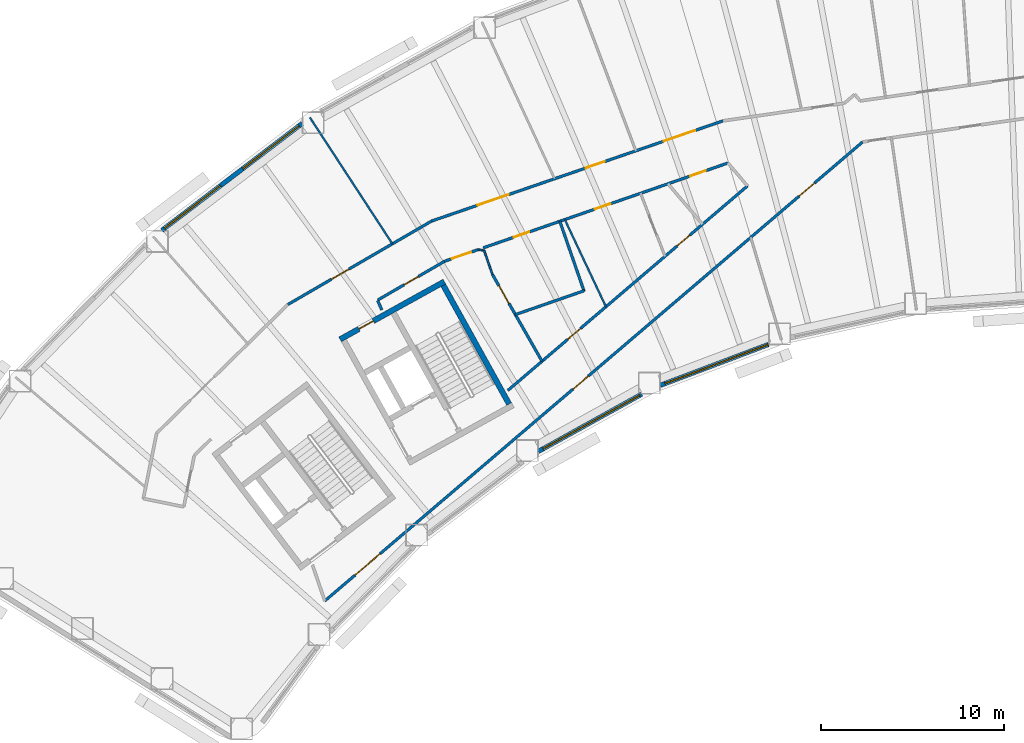
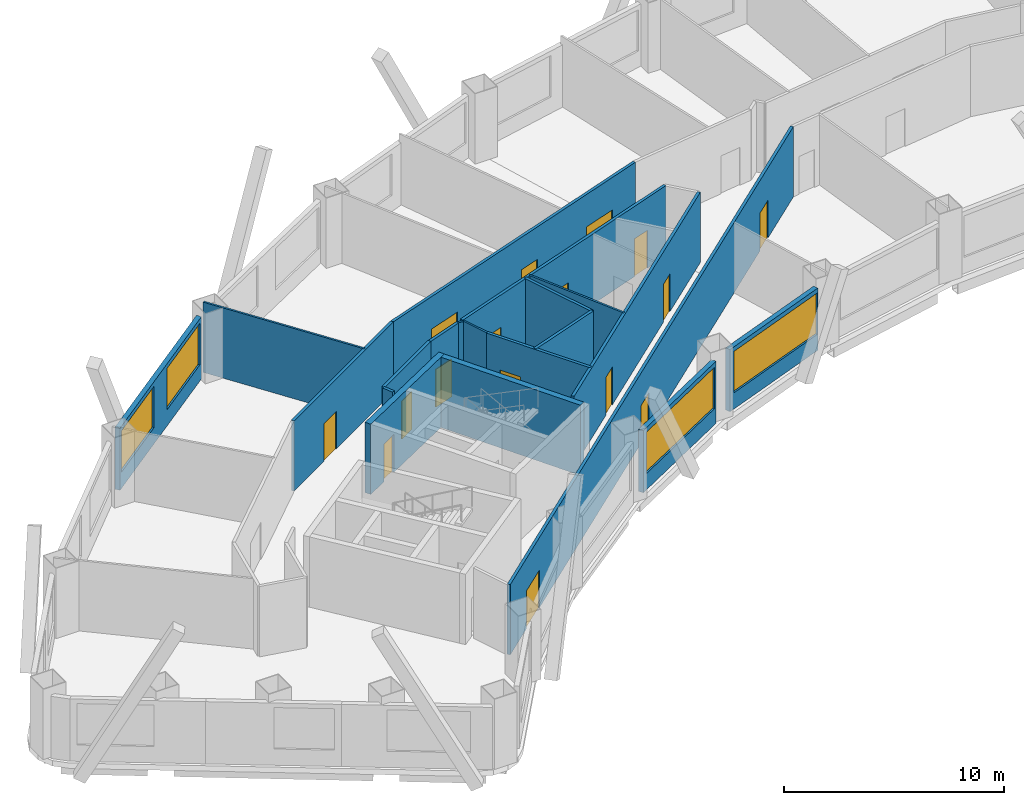
# One storey, part 4 of 12: 20 walls, 16 doors, 4 windows, 20 openings.
"""IFC4 building model written with IfcOpenShell, lengths in metres."""

from ifc_helpers import new_model, si_unit, direction, frame, frame_2d, origin, place, context, subcontext, project, spatial, rectangle, extrude, material, layer, layer_set, type_object, element, fill, save


model = new_model("IFC4")

# Units and contexts
model_context = context("Model", 3, precision=1e-05, world=origin(), true_north=direction((0.0, 1.0)))
body_context = subcontext(model_context, "Body", "Model", "MODEL_VIEW")
ifc_project = project(units=[si_unit("LENGTHUNIT", "METRE"), si_unit("AREAUNIT", "SQUARE_METRE"), si_unit("VOLUMEUNIT", "CUBIC_METRE"), si_unit("PLANEANGLEUNIT", "RADIAN"), si_unit("MASSUNIT", "GRAM", prefix="KILO")], contexts=[model_context])

# Site, building, storey
site_placement = place(None, origin())
site = spatial("IfcSite", under=ifc_project, at=site_placement, CompositionType="ELEMENT")
building_placement = place(site_placement, origin())
building = spatial("IfcBuilding", under=site, at=building_placement, Name="Tuul Gate Civic Tower", CompositionType="ELEMENT")
storey_placement = place(building_placement, frame((0.0, 0.0, 82.199951171875)))
storey = spatial("IfcBuildingStorey", under=building, at=storey_placement, Name="Level 18", CompositionType="ELEMENT", Elevation=82.199951171875)

# Wall, opening, door
ifc_material_1 = material(Name="Concrete C50/60", Category="concrete")
ifc_layer_1 = layer(ifc_material_1, 0.300048828125)
ifc_layer_set_1 = layer_set([ifc_layer_1], Name="Concrete C50/60")
wall_type_1 = type_object("IfcWallType", Name="Core wall C50/60", PredefinedType="SHEAR", material=ifc_layer_set_1)
wall_1_placement = place(storey_placement, frame((-28.4443359375, -1.98095703125, 0.0), z_axis=(0.0, 0.0, 1.0), x_axis=(-0.874629909008, -0.484791215132, 0.0)))
wall_1 = element("IfcWall", 1, at=wall_1_placement, inside=storey, type_object=wall_type_1, Name="Core wall", PredefinedType="SHEAR", context=body_context, shape_type="SweptSolid", body=[
    extrude(rectangle(XDim=6.5, YDim=0.300048828125, at=frame_2d((3.25, 0.0))), origin(), (0.0, 0.0, 1.0), 3.900146484375),
])
opening_1_placement = place(wall_1_placement, frame((4.425048828125, 0.0, 0.0)))
opening_1 = element("IfcOpeningElement", 2, at=opening_1_placement, cuts=wall_1, Name="Opening E-D37", PredefinedType="OPENING", context=body_context, shape_type="SweptSolid", body=[
    extrude(rectangle(XDim=0.89990234375, YDim=2.10009765625, at=frame_2d((0.449951171875, 1.050048828125))), frame((0.0, 0.16015625, 0.0), z_axis=(0.0, -1.0, 0.0), x_axis=(1.0, 0.0, 0.0)), (0.0, 0.0, 1.0), 0.320068359375),
])
ifc_material_2 = material(Name="Timber door leaf", Category="wood")
door_type_1 = type_object("IfcDoorType", Name="Door D09", OperationType="NOTDEFINED", PredefinedType="DOOR", material=ifc_material_2)
door_1_placement = place(opening_1_placement, origin())
door_1 = element("IfcDoor", 3, at=door_1_placement, inside=storey, type_object=door_type_1, Name="Door E-D37", OperationType="SINGLE_SWING_LEFT", OverallHeight=2.10009765625, OverallWidth=0.89990234375, PredefinedType="DOOR", context=body_context, shape_type="SweptSolid", body=[
    extrude(rectangle(XDim=0.89990234375, YDim=2.10009765625, at=frame_2d((0.449951171875, 1.050048828125))), frame((0.0, 0.02490234375, 0.0), z_axis=(0.0, -1.0, 0.0), x_axis=(1.0, 0.0, 0.0)), (0.0, 0.0, 1.0), 0.050048828125),
])
fill(opening_1, door_1)

# Wall
wall_2_placement = place(storey_placement, frame((-24.91552734375, -8.6572265625, 0.0), z_axis=(0.0, 0.0, 1.0), x_axis=(-0.484777133038, 0.874637714304, 0.0)))
element("IfcWall", 4, at=wall_2_placement, inside=storey, type_object=wall_type_1, Name="Core wall", PredefinedType="SHEAR", context=body_context, shape_type="SweptSolid", body=[
    extrude(rectangle(XDim=7.400146484375, YDim=0.300048828125, at=frame_2d((3.7001953125, 0.0))), origin(), (0.0, 0.0, 1.0), 3.900146484375),
])

# Wall, openings, doors
ifc_material_3 = material(Name="Gypsum board partition")
ifc_layer_2 = layer(ifc_material_3, 0.14990234375)
ifc_layer_set_2 = layer_set([ifc_layer_2], Name="Gypsum board partition")
wall_type_2 = type_object("IfcWallType", Name="Corridor wall P150", PredefinedType="PARTITIONING", material=ifc_layer_set_2)
wall_3_placement = place(storey_placement, frame((-24.98388671875, -7.9140625, 0.0), z_axis=(0.0, 0.0, 1.0), x_axis=(0.76064807298, 0.649164469971, 0.0)))
wall_3 = element("IfcWall", 5, at=wall_3_placement, inside=storey, type_object=wall_type_2, Name="p032", PredefinedType="PARTITIONING", context=body_context, shape_type="SweptSolid", body=[
    extrude(rectangle(XDim=17.1689453125, YDim=0.14990234375, at=frame_2d((8.58447265625, 0.0))), origin(), (0.0, 0.0, 1.0), 3.900146484375),
])
opening_2_placement = place(wall_3_placement, frame((12.131591796875, 0.0, 0.0)))
opening_2 = element("IfcOpeningElement", 6, at=opening_2_placement, cuts=wall_3, Name="Opening E-D27", PredefinedType="OPENING", context=body_context, shape_type="SweptSolid", body=[
    extrude(rectangle(XDim=0.89990234375, YDim=2.10009765625, at=frame_2d((0.449951171875, 1.050048828125))), frame((0.0, 0.0849609375, 0.0), z_axis=(0.0, -1.0, 0.0), x_axis=(1.0, 0.0, 0.0)), (0.0, 0.0, 1.0), 0.169921875),
])
opening_3_placement = place(wall_3_placement, frame((4.291748046875, 0.0, 0.0)))
opening_3 = element("IfcOpeningElement", 7, at=opening_3_placement, cuts=wall_3, Name="Opening E-D28", PredefinedType="OPENING", context=body_context, shape_type="SweptSolid", body=[
    extrude(rectangle(XDim=0.89990234375, YDim=2.10009765625, at=frame_2d((0.449951171875, 1.050048828125))), frame((0.0, 0.0849609375, 0.0), z_axis=(0.0, -1.0, 0.0), x_axis=(1.0, 0.0, 0.0)), (0.0, 0.0, 1.0), 0.169921875),
])
door_2_placement = place(opening_2_placement, origin())
door_2 = element("IfcDoor", 8, at=door_2_placement, inside=storey, type_object=door_type_1, Name="Door E-D27", OperationType="SINGLE_SWING_LEFT", OverallHeight=2.10009765625, OverallWidth=0.89990234375, PredefinedType="DOOR", context=body_context, shape_type="SweptSolid", body=[
    extrude(rectangle(XDim=0.89990234375, YDim=2.10009765625, at=frame_2d((0.449951171875, 1.050048828125))), frame((0.0, 0.02490234375, 0.0), z_axis=(0.0, -1.0, 0.0), x_axis=(1.0, 0.0, 0.0)), (0.0, 0.0, 1.0), 0.050048828125),
])
fill(opening_2, door_2)
door_3_placement = place(opening_3_placement, origin())
door_3 = element("IfcDoor", 9, at=door_3_placement, inside=storey, type_object=door_type_1, Name="Door E-D28", OperationType="SINGLE_SWING_RIGHT", OverallHeight=2.10009765625, OverallWidth=0.89990234375, PredefinedType="DOOR", context=body_context, shape_type="SweptSolid", body=[
    extrude(rectangle(XDim=0.89990234375, YDim=2.10009765625, at=frame_2d((0.449951171875, 1.050048828125))), frame((0.0, 0.02490234375, 0.0), z_axis=(0.0, -1.0, 0.0), x_axis=(1.0, 0.0, 0.0)), (0.0, 0.0, 1.0), 0.050048828125),
])
fill(opening_3, door_3)

wall_4_placement = place(storey_placement, frame((-29.138427734375, 1.318115234375, 0.0), z_axis=(0.0, 0.0, 1.0), x_axis=(0.945651374617, 0.325182222276, 0.0)))
wall_4 = element("IfcWall", 10, at=wall_4_placement, inside=storey, type_object=wall_type_2, Name="p035", PredefinedType="PARTITIONING", context=body_context, shape_type="SweptSolid", body=[
    extrude(rectangle(XDim=16.7822265625, YDim=0.14990234375, at=frame_2d((8.39111328125, 0.0))), origin(), (0.0, 0.0, 1.0), 3.900146484375),
])
opening_4_placement = place(wall_4_placement, frame((13.3759765625, 0.0, 0.0)))
opening_4 = element("IfcOpeningElement", 11, at=opening_4_placement, cuts=wall_4, Name="Opening E-D10", PredefinedType="OPENING", context=body_context, shape_type="SweptSolid", body=[
    extrude(rectangle(XDim=1.800048828125, YDim=2.10009765625, at=frame_2d((0.89990234375, 1.050048828125))), frame((0.0, 0.0849609375, 0.0), z_axis=(0.0, -1.0, 0.0), x_axis=(1.0, 0.0, 0.0)), (0.0, 0.0, 1.0), 0.169921875),
])
opening_5_placement = place(wall_4_placement, frame((8.877197265625, 0.0, 0.0)))
opening_5 = element("IfcOpeningElement", 12, at=opening_5_placement, cuts=wall_4, Name="Opening E-D11", PredefinedType="OPENING", context=body_context, shape_type="SweptSolid", body=[
    extrude(rectangle(XDim=1.10009765625, YDim=2.10009765625, at=frame_2d((0.550048828125, 1.050048828125))), frame((0.0, 0.0849609375, 0.0), z_axis=(0.0, -1.0, 0.0), x_axis=(1.0, 0.0, 0.0)), (0.0, 0.0, 1.0), 0.169921875),
])
opening_6_placement = place(wall_4_placement, frame((2.642333984375, 0.0, 0.0)))
opening_6 = element("IfcOpeningElement", 13, at=opening_6_placement, cuts=wall_4, Name="Opening E-D12", PredefinedType="OPENING", context=body_context, shape_type="SweptSolid", body=[
    extrude(rectangle(XDim=1.800048828125, YDim=2.10009765625, at=frame_2d((0.89990234375, 1.050048828125))), frame((0.0, 0.0849609375, 0.0), z_axis=(0.0, -1.0, 0.0), x_axis=(1.0, 0.0, 0.0)), (0.0, 0.0, 1.0), 0.169921875),
])
ifc_material_4 = material(Name="Timber door leaf", Category="wood")
door_type_2 = type_object("IfcDoorType", Name="Door D11", OperationType="NOTDEFINED", PredefinedType="DOOR", material=ifc_material_4)
door_4_placement = place(opening_5_placement, origin())
door_4 = element("IfcDoor", 14, at=door_4_placement, inside=storey, type_object=door_type_2, Name="Door E-D11", OperationType="SINGLE_SWING_RIGHT", OverallHeight=2.10009765625, OverallWidth=1.10009765625, PredefinedType="DOOR", context=body_context, shape_type="SweptSolid", body=[
    extrude(rectangle(XDim=1.10009765625, YDim=2.10009765625, at=frame_2d((0.550048828125, 1.050048828125))), frame((0.0, 0.02490234375, 0.0), z_axis=(0.0, -1.0, 0.0), x_axis=(1.0, 0.0, 0.0)), (0.0, 0.0, 1.0), 0.050048828125),
])
fill(opening_5, door_4)
ifc_material_5 = material(Name="Timber door leaf, double", Category="wood")
door_type_3 = type_object("IfcDoorType", Name="Door D18", OperationType="DOUBLE_DOOR_SINGLE_SWING", PredefinedType="DOOR", material=ifc_material_5)
door_5_placement = place(opening_4_placement, origin())
door_5 = element("IfcDoor", 15, at=door_5_placement, inside=storey, type_object=door_type_3, Name="Door E-D10", OperationType="DOUBLE_DOOR_SINGLE_SWING", OverallHeight=2.10009765625, OverallWidth=1.800048828125, PredefinedType="DOOR", context=body_context, shape_type="SweptSolid", body=[
    extrude(rectangle(XDim=1.800048828125, YDim=2.10009765625, at=frame_2d((0.89990234375, 1.050048828125))), frame((0.0, 0.02490234375, 0.0), z_axis=(0.0, -1.0, 0.0), x_axis=(1.0, 0.0, 0.0)), (0.0, 0.0, 1.0), 0.050048828125),
])
fill(opening_4, door_5)
door_6_placement = place(opening_6_placement, origin())
door_6 = element("IfcDoor", 16, at=door_6_placement, inside=storey, type_object=door_type_3, Name="Door E-D12", OperationType="DOUBLE_DOOR_SINGLE_SWING", OverallHeight=2.10009765625, OverallWidth=1.800048828125, PredefinedType="DOOR", context=body_context, shape_type="SweptSolid", body=[
    extrude(rectangle(XDim=1.800048828125, YDim=2.10009765625, at=frame_2d((0.89990234375, 1.050048828125))), frame((0.0, 0.02490234375, 0.0), z_axis=(0.0, -1.0, 0.0), x_axis=(1.0, 0.0, 0.0)), (0.0, 0.0, 1.0), 0.050048828125),
])
fill(opening_6, door_6)

# Wall, opening, door
wall_5_placement = place(storey_placement, frame((-36.976806640625, -3.2333984375, 0.0), z_axis=(0.0, 0.0, 1.0), x_axis=(0.864782531792, 0.502146564967, 0.0)))
wall_5 = element("IfcWall", 17, at=wall_5_placement, inside=storey, type_object=wall_type_2, Name="p038", PredefinedType="PARTITIONING", context=body_context, shape_type="SweptSolid", body=[
    extrude(rectangle(XDim=9.063232421875, YDim=0.14990234375, at=frame_2d((4.53173828125, 0.0))), origin(), (0.0, 0.0, 1.0), 3.900146484375),
])
opening_7_placement = place(wall_5_placement, frame((2.744384765625, 0.0, 0.0)))
opening_7 = element("IfcOpeningElement", 18, at=opening_7_placement, cuts=wall_5, Name="Opening E-D13", PredefinedType="OPENING", context=body_context, shape_type="SweptSolid", body=[
    extrude(rectangle(XDim=1.10009765625, YDim=2.10009765625, at=frame_2d((0.550048828125, 1.050048828125))), frame((0.0, 0.0849609375, 0.0), z_axis=(0.0, -1.0, 0.0), x_axis=(1.0, 0.0, 0.0)), (0.0, 0.0, 1.0), 0.169921875),
])
door_7_placement = place(opening_7_placement, origin())
door_7 = element("IfcDoor", 19, at=door_7_placement, inside=storey, type_object=door_type_2, Name="Door E-D13", OperationType="SINGLE_SWING_RIGHT", OverallHeight=2.10009765625, OverallWidth=1.10009765625, PredefinedType="DOOR", context=body_context, shape_type="SweptSolid", body=[
    extrude(rectangle(XDim=1.10009765625, YDim=2.10009765625, at=frame_2d((0.550048828125, 1.050048828125))), frame((0.0, 0.02490234375, 0.0), z_axis=(0.0, -1.0, 0.0), x_axis=(1.0, 0.0, 0.0)), (0.0, 0.0, 1.0), 0.050048828125),
])
fill(opening_7, door_7)

# Wall, openings, doors
wall_6_placement = place(storey_placement, frame((-34.96142578125, -19.38720703125, 0.0), z_axis=(0.0, 0.0, 1.0), x_axis=(0.760648138959, 0.649164392661, 0.0)))
wall_6 = element("IfcWall", 20, at=wall_6_placement, inside=storey, type_object=wall_type_2, Name="p053", PredefinedType="PARTITIONING", context=body_context, shape_type="SweptSolid", body=[
    extrude(rectangle(XDim=38.529541015625, YDim=0.14990234375, at=frame_2d((19.2646484375, 0.0))), origin(), (0.0, 0.0, 1.0), 3.900146484375),
])
opening_8_placement = place(wall_6_placement, frame((33.977294921875, 0.0, 0.0)))
opening_8 = element("IfcOpeningElement", 21, at=opening_8_placement, cuts=wall_6, Name="Opening E-D17", PredefinedType="OPENING", context=body_context, shape_type="SweptSolid", body=[
    extrude(rectangle(XDim=1.10009765625, YDim=2.10009765625, at=frame_2d((0.550048828125, 1.050048828125))), frame((0.0, 0.0849609375, 0.0), z_axis=(0.0, -1.0, 0.0), x_axis=(1.0, 0.0, 0.0)), (0.0, 0.0, 1.0), 0.169921875),
])
opening_9_placement = place(wall_6_placement, frame((17.776611328125, 0.0, 0.0)))
opening_9 = element("IfcOpeningElement", 22, at=opening_9_placement, cuts=wall_6, Name="Opening E-D18", PredefinedType="OPENING", context=body_context, shape_type="SweptSolid", body=[
    extrude(rectangle(XDim=1.10009765625, YDim=2.10009765625, at=frame_2d((0.550048828125, 1.050048828125))), frame((0.0, 0.0849609375, 0.0), z_axis=(0.0, -1.0, 0.0), x_axis=(1.0, 0.0, 0.0)), (0.0, 0.0, 1.0), 0.169921875),
])
opening_10_placement = place(wall_6_placement, frame((2.1640625, 0.0, 0.0)))
opening_10 = element("IfcOpeningElement", 23, at=opening_10_placement, cuts=wall_6, Name="Opening E-D19", PredefinedType="OPENING", context=body_context, shape_type="SweptSolid", body=[
    extrude(rectangle(XDim=1.800048828125, YDim=2.10009765625, at=frame_2d((0.89990234375, 1.050048828125))), frame((0.0, 0.0849609375, 0.0), z_axis=(0.0, -1.0, 0.0), x_axis=(1.0, 0.0, 0.0)), (0.0, 0.0, 1.0), 0.169921875),
])
door_8_placement = place(opening_8_placement, frame((1.10009765625, 0.0, 0.0), z_axis=(0.0, 0.0, 1.0), x_axis=(-1.0, 0.0, 0.0)))
door_8 = element("IfcDoor", 24, at=door_8_placement, inside=storey, type_object=door_type_2, Name="Door E-D17", OperationType="SINGLE_SWING_LEFT", OverallHeight=2.10009765625, OverallWidth=1.10009765625, PredefinedType="DOOR", context=body_context, shape_type="SweptSolid", body=[
    extrude(rectangle(XDim=1.10009765625, YDim=2.10009765625, at=frame_2d((0.550048828125, 1.050048828125))), frame((0.0, 0.02490234375, 0.0), z_axis=(0.0, -1.0, 0.0), x_axis=(1.0, 0.0, 0.0)), (0.0, 0.0, 1.0), 0.050048828125),
])
fill(opening_8, door_8)
door_9_placement = place(opening_9_placement, frame((1.10009765625, 0.0, 0.0), z_axis=(0.0, 0.0, 1.0), x_axis=(-1.0, 0.0, 0.0)))
door_9 = element("IfcDoor", 25, at=door_9_placement, inside=storey, type_object=door_type_2, Name="Door E-D18", OperationType="SINGLE_SWING_LEFT", OverallHeight=2.10009765625, OverallWidth=1.10009765625, PredefinedType="DOOR", context=body_context, shape_type="SweptSolid", body=[
    extrude(rectangle(XDim=1.10009765625, YDim=2.10009765625, at=frame_2d((0.550048828125, 1.050048828125))), frame((0.0, 0.02490234375, 0.0), z_axis=(0.0, -1.0, 0.0), x_axis=(1.0, 0.0, 0.0)), (0.0, 0.0, 1.0), 0.050048828125),
])
fill(opening_9, door_9)
door_10_placement = place(opening_10_placement, frame((1.800048828125, 0.0, 0.0), z_axis=(0.0, 0.0, 1.0), x_axis=(-1.0, 0.0, 0.0)))
door_10 = element("IfcDoor", 26, at=door_10_placement, inside=storey, type_object=door_type_3, Name="Door E-D19", OperationType="DOUBLE_DOOR_SINGLE_SWING", OverallHeight=2.10009765625, OverallWidth=1.800048828125, PredefinedType="DOOR", context=body_context, shape_type="SweptSolid", body=[
    extrude(rectangle(XDim=1.800048828125, YDim=2.10009765625, at=frame_2d((0.900146484375, 1.050048828125))), frame((0.0, 0.02490234375, 0.0), z_axis=(0.0, -1.0, 0.0), x_axis=(1.0, 0.0, 0.0)), (0.0, 0.0, 1.0), 0.050048828125),
])
fill(opening_10, door_10)

# Wall, opening, door
wall_7_placement = place(storey_placement, frame((-28.43408203125, -0.87451171875, 0.0), z_axis=(0.0, 0.0, 1.0), x_axis=(0.944764559764, 0.327749792698, 0.0)))
wall_7 = element("IfcWall", 27, at=wall_7_placement, inside=storey, type_object=wall_type_2, Name="p069", PredefinedType="PARTITIONING", context=body_context, shape_type="SweptSolid", body=[
    extrude(rectangle(XDim=1.941162109375, YDim=0.14990234375, at=frame_2d((0.970703125, 0.0))), origin(), (0.0, 0.0, 1.0), 3.900146484375),
])
opening_11_placement = place(wall_7_placement, frame((0.420654296875, 0.0, 0.0)))
opening_11 = element("IfcOpeningElement", 28, at=opening_11_placement, cuts=wall_7, Name="Opening E-D35", PredefinedType="OPENING", context=body_context, shape_type="SweptSolid", body=[
    extrude(rectangle(XDim=1.10009765625, YDim=2.10009765625, at=frame_2d((0.550048828125, 1.050048828125))), frame((0.0, 0.0849609375, 0.0), z_axis=(0.0, -1.0, 0.0), x_axis=(1.0, 0.0, 0.0)), (0.0, 0.0, 1.0), 0.169921875),
])
door_11_placement = place(opening_11_placement, frame((1.10009765625, 0.0, 0.0), z_axis=(0.0, 0.0, 1.0), x_axis=(-1.0, 0.0, 0.0)))
door_11 = element("IfcDoor", 29, at=door_11_placement, inside=storey, type_object=door_type_2, Name="Door E-D35", OperationType="SINGLE_SWING_LEFT", OverallHeight=2.10009765625, OverallWidth=1.10009765625, PredefinedType="DOOR", context=body_context, shape_type="SweptSolid", body=[
    extrude(rectangle(XDim=1.10009765625, YDim=2.10009765625, at=frame_2d((0.550048828125, 1.050048828125))), frame((0.0, 0.02490234375, 0.0), z_axis=(0.0, -1.0, 0.0), x_axis=(1.0, 0.0, 0.0)), (0.0, 0.0, 1.0), 0.050048828125),
])
fill(opening_11, door_11)

# Wall, openings, doors
wall_8_placement = place(storey_placement, frame((-26.32861328125, -0.144287109375, 0.0), z_axis=(0.0, 0.0, 1.0), x_axis=(0.944811790796, 0.327613613839, 0.0)))
wall_8 = element("IfcWall", 30, at=wall_8_placement, inside=storey, type_object=wall_type_2, Name="p070", PredefinedType="PARTITIONING", context=body_context, shape_type="SweptSolid", body=[
    extrude(rectangle(XDim=14.1171875, YDim=0.14990234375, at=frame_2d((7.05859375, 0.0))), origin(), (0.0, 0.0, 1.0), 3.900146484375),
])
opening_12_placement = place(wall_8_placement, frame((11.9384765625, 0.0, 0.0)))
opening_12 = element("IfcOpeningElement", 31, at=opening_12_placement, cuts=wall_8, Name="Opening E-D22", PredefinedType="OPENING", context=body_context, shape_type="SweptSolid", body=[
    extrude(rectangle(XDim=0.89990234375, YDim=2.10009765625, at=frame_2d((0.449951171875, 1.050048828125))), frame((0.0, 0.0849609375, 0.0), z_axis=(0.0, -1.0, 0.0), x_axis=(1.0, 0.0, 0.0)), (0.0, 0.0, 1.0), 0.169921875),
])
opening_13_placement = place(wall_8_placement, frame((6.44091796875, 0.0, 0.0)))
opening_13 = element("IfcOpeningElement", 32, at=opening_13_placement, cuts=wall_8, Name="Opening E-D23", PredefinedType="OPENING", context=body_context, shape_type="SweptSolid", body=[
    extrude(rectangle(XDim=0.89990234375, YDim=2.10009765625, at=frame_2d((0.449951171875, 1.050048828125))), frame((0.0, 0.0849609375, 0.0), z_axis=(0.0, -1.0, 0.0), x_axis=(1.0, 0.0, 0.0)), (0.0, 0.0, 1.0), 0.169921875),
])
opening_14_placement = place(wall_8_placement, frame((1.760009765625, 0.0, 0.0)))
opening_14 = element("IfcOpeningElement", 33, at=opening_14_placement, cuts=wall_8, Name="Opening E-D24", PredefinedType="OPENING", context=body_context, shape_type="SweptSolid", body=[
    extrude(rectangle(XDim=0.89990234375, YDim=2.10009765625, at=frame_2d((0.449951171875, 1.050048828125))), frame((0.0, 0.0849609375, 0.0), z_axis=(0.0, -1.0, 0.0), x_axis=(1.0, 0.0, 0.0)), (0.0, 0.0, 1.0), 0.169921875),
])
door_12_placement = place(opening_12_placement, origin())
door_12 = element("IfcDoor", 34, at=door_12_placement, inside=storey, type_object=door_type_1, Name="Door E-D22", OperationType="SINGLE_SWING_RIGHT", OverallHeight=2.10009765625, OverallWidth=0.89990234375, PredefinedType="DOOR", context=body_context, shape_type="SweptSolid", body=[
    extrude(rectangle(XDim=0.89990234375, YDim=2.10009765625, at=frame_2d((0.449951171875, 1.050048828125))), frame((0.0, 0.02490234375, 0.0), z_axis=(0.0, -1.0, 0.0), x_axis=(1.0, 0.0, 0.0)), (0.0, 0.0, 1.0), 0.050048828125),
])
fill(opening_12, door_12)
door_13_placement = place(opening_13_placement, frame((0.89990234375, 0.0, 0.0), z_axis=(0.0, 0.0, 1.0), x_axis=(-1.0, 0.0, 0.0)))
door_13 = element("IfcDoor", 35, at=door_13_placement, inside=storey, type_object=door_type_1, Name="Door E-D23", OperationType="SINGLE_SWING_LEFT", OverallHeight=2.10009765625, OverallWidth=0.89990234375, PredefinedType="DOOR", context=body_context, shape_type="SweptSolid", body=[
    extrude(rectangle(XDim=0.89990234375, YDim=2.10009765625, at=frame_2d((0.449951171875, 1.050048828125))), frame((0.0, 0.02490234375, 0.0), z_axis=(0.0, -1.0, 0.0), x_axis=(1.0, 0.0, 0.0)), (0.0, 0.0, 1.0), 0.050048828125),
])
fill(opening_13, door_13)
door_14_placement = place(opening_14_placement, frame((0.89990234375, 0.0, 0.0), z_axis=(0.0, 0.0, 1.0), x_axis=(-1.0, 0.0, 0.0)))
door_14 = element("IfcDoor", 36, at=door_14_placement, inside=storey, type_object=door_type_1, Name="Door E-D24", OperationType="SINGLE_SWING_LEFT", OverallHeight=2.10009765625, OverallWidth=0.89990234375, PredefinedType="DOOR", context=body_context, shape_type="SweptSolid", body=[
    extrude(rectangle(XDim=0.89990234375, YDim=2.10009765625, at=frame_2d((0.449951171875, 1.050048828125))), frame((0.0, 0.02490234375, 0.0), z_axis=(0.0, -1.0, 0.0), x_axis=(1.0, 0.0, 0.0)), (0.0, 0.0, 1.0), 0.050048828125),
])
fill(opening_14, door_14)

# Walls
wall_9_placement = place(storey_placement, frame((-22.15234375, 1.303466796875, 0.0), z_axis=(0.0, 0.0, 1.0), x_axis=(0.327670095688, -0.944792203816, 0.0)))
element("IfcWall", 37, at=wall_9_placement, inside=storey, type_object=wall_type_2, Name="p076", PredefinedType="PARTITIONING", context=body_context, shape_type="SweptSolid", body=[
    extrude(rectangle(XDim=4.031005859375, YDim=0.14990234375, at=frame_2d((2.015625, 0.0))), origin(), (0.0, 0.0, 1.0), 3.900146484375),
])
wall_10_placement = place(storey_placement, frame((-24.5908203125, -3.78662109375, 0.0), z_axis=(0.0, 0.0, 1.0), x_axis=(0.944785976985, 0.32768804936, 0.0)))
element("IfcWall", 38, at=wall_10_placement, inside=storey, type_object=wall_type_2, Name="p077", PredefinedType="PARTITIONING", context=body_context, shape_type="SweptSolid", body=[
    extrude(rectangle(XDim=3.99267578125, YDim=0.14990234375, at=frame_2d((1.996337890625, 0.0))), origin(), (0.0, 0.0, 1.0), 3.900146484375),
])

# Wall, opening, door
wall_11_placement = place(storey_placement, frame((-25.826416015625, -1.592041015625, 0.0), z_axis=(0.0, 0.0, 1.0), x_axis=(0.49620163968, -0.868207309793, 0.0)))
wall_11 = element("IfcWall", 39, at=wall_11_placement, inside=storey, type_object=wall_type_2, Name="p078", PredefinedType="PARTITIONING", context=body_context, shape_type="SweptSolid", body=[
    extrude(rectangle(XDim=5.451171875, YDim=0.14990234375, at=frame_2d((2.7255859375, 0.0))), origin(), (0.0, 0.0, 1.0), 3.900146484375),
])
opening_15_placement = place(wall_11_placement, frame((0.710693359375, 0.0, 0.0)))
opening_15 = element("IfcOpeningElement", 40, at=opening_15_placement, cuts=wall_11, Name="Opening E-D34", PredefinedType="OPENING", context=body_context, shape_type="SweptSolid", body=[
    extrude(rectangle(XDim=1.10009765625, YDim=2.10009765625, at=frame_2d((0.550048828125, 1.050048828125))), frame((0.0, 0.0849609375, 0.0), z_axis=(0.0, -1.0, 0.0), x_axis=(1.0, 0.0, 0.0)), (0.0, 0.0, 1.0), 0.169921875),
])
door_15_placement = place(opening_15_placement, frame((1.10009765625, 0.0, 0.0), z_axis=(0.0, 0.0, 1.0), x_axis=(-1.0, 0.0, 0.0)))
door_15 = element("IfcDoor", 41, at=door_15_placement, inside=storey, type_object=door_type_2, Name="Door E-D34", OperationType="SINGLE_SWING_LEFT", OverallHeight=2.10009765625, OverallWidth=1.10009765625, PredefinedType="DOOR", context=body_context, shape_type="SweptSolid", body=[
    extrude(rectangle(XDim=1.10009765625, YDim=2.10009765625, at=frame_2d((0.550048828125, 1.050048828125))), frame((0.0, 0.02490234375, 0.0), z_axis=(0.0, -1.0, 0.0), x_axis=(1.0, 0.0, 0.0)), (0.0, 0.0, 1.0), 0.050048828125),
])
fill(opening_15, door_15)

# Wall
wall_12_placement = place(storey_placement, frame((-32.08203125, -3.013671875, 0.0), z_axis=(0.0, 0.0, 1.0), x_axis=(0.405211430206, -0.914223001696, 0.0)))
element("IfcWall", 42, at=wall_12_placement, inside=storey, type_object=wall_type_2, Name="p080", PredefinedType="PARTITIONING", context=body_context, shape_type="SweptSolid", body=[
    extrude(rectangle(XDim=0.562255859375, YDim=0.14990234375, at=frame_2d((0.28125, 0.0))), origin(), (0.0, 0.0, 1.0), 3.900146484375),
])

# Wall, opening, door
wall_13_placement = place(storey_placement, frame((-32.073974609375, -2.98828125, 0.0), z_axis=(0.0, 0.0, 1.0), x_axis=(0.864781627079, 0.502148123035, 0.0)))
wall_13 = element("IfcWall", 43, at=wall_13_placement, inside=storey, type_object=wall_type_2, Name="p081", PredefinedType="PARTITIONING", context=body_context, shape_type="SweptSolid", body=[
    extrude(rectangle(XDim=4.205078125, YDim=0.14990234375, at=frame_2d((2.1025390625, 0.0))), origin(), (0.0, 0.0, 1.0), 3.900146484375),
])
opening_16_placement = place(wall_13_placement, frame((1.652587890625, 0.0, 0.0)))
opening_16 = element("IfcOpeningElement", 44, at=opening_16_placement, cuts=wall_13, Name="Opening E-D25", PredefinedType="OPENING", context=body_context, shape_type="SweptSolid", body=[
    extrude(rectangle(XDim=0.89990234375, YDim=2.10009765625, at=frame_2d((0.449951171875, 1.050048828125))), frame((0.0, 0.0849609375, 0.0), z_axis=(0.0, -1.0, 0.0), x_axis=(1.0, 0.0, 0.0)), (0.0, 0.0, 1.0), 0.169921875),
])
door_16_placement = place(opening_16_placement, origin())
door_16 = element("IfcDoor", 45, at=door_16_placement, inside=storey, type_object=door_type_1, Name="Door E-D25", OperationType="SINGLE_SWING_RIGHT", OverallHeight=2.10009765625, OverallWidth=0.89990234375, PredefinedType="DOOR", context=body_context, shape_type="SweptSolid", body=[
    extrude(rectangle(XDim=0.89990234375, YDim=2.10009765625, at=frame_2d((0.449951171875, 1.050048828125))), frame((0.0, 0.02490234375, 0.0), z_axis=(0.0, -1.0, 0.0), x_axis=(1.0, 0.0, 0.0)), (0.0, 0.0, 1.0), 0.050048828125),
])
fill(opening_16, door_16)

# Wall, openings, windows
ifc_material_6 = material(Name="Precast concrete C40/50", Category="concrete")
ifc_layer_3 = layer(ifc_material_6, 0.25)
ifc_layer_set_3 = layer_set([ifc_layer_3], Name="Precast concrete C40/50")
wall_type_3 = type_object("IfcWallType", Name="External wall", PredefinedType="STANDARD", material=ifc_layer_set_3)
wall_14_placement = place(storey_placement, frame((-36.194091796875, 6.635986328125, 0.0), z_axis=(0.0, 0.0, 1.0), x_axis=(-0.795611941646, -0.605806601409, 0.0)))
wall_14 = element("IfcWall", 46, at=wall_14_placement, inside=storey, type_object=wall_type_3, Name="External wall", PredefinedType="STANDARD", context=body_context, shape_type="SweptSolid", body=[
    extrude(rectangle(XDim=9.607177734375, YDim=0.25, at=frame_2d((4.8037109375, 0.0))), origin(), (0.0, 0.0, 1.0), 3.449951171875),
])
opening_17_placement = place(wall_14_placement, frame((0.221923828125, 0.0, 0.89990234375)))
opening_17 = element("IfcOpeningElement", 47, at=opening_17_placement, cuts=wall_14, Name="Opening W22", PredefinedType="OPENING", context=body_context, shape_type="SweptSolid", body=[
    extrude(rectangle(XDim=3.85009765625, YDim=2.300048828125, at=frame_2d((1.925048828125, 1.14990234375))), frame((0.0, 0.135009765625, 0.0), z_axis=(0.0, -1.0, 0.0), x_axis=(1.0, 0.0, 0.0)), (0.0, 0.0, 1.0), 0.27001953125),
])
opening_18_placement = place(wall_14_placement, frame((5.59326171875, 0.0, 0.89990234375)))
opening_18 = element("IfcOpeningElement", 48, at=opening_18_placement, cuts=wall_14, Name="Opening W22", PredefinedType="OPENING", context=body_context, shape_type="SweptSolid", body=[
    extrude(rectangle(XDim=3.85009765625, YDim=2.300048828125, at=frame_2d((1.925048828125, 1.14990234375))), frame((0.0, 0.135009765625, 0.0), z_axis=(0.0, -1.0, 0.0), x_axis=(1.0, 0.0, 0.0)), (0.0, 0.0, 1.0), 0.27001953125),
])
ifc_material_7 = material(Name="Glass", Category="glass")
window_type_1 = type_object("IfcWindowType", Name="Window W22 3850 x 2300", PartitioningType="SINGLE_PANEL", PredefinedType="WINDOW", material=ifc_material_7)
window_1_placement = place(opening_17_placement, origin())
window_1 = element("IfcWindow", 49, at=window_1_placement, inside=storey, type_object=window_type_1, Name="Window", OverallHeight=2.300048828125, OverallWidth=3.85009765625, PartitioningType="SINGLE_PANEL", PredefinedType="WINDOW", context=body_context, shape_type="SweptSolid", body=[
    extrude(rectangle(XDim=3.85009765625, YDim=2.300048828125, at=frame_2d((1.925048828125, 1.14990234375))), frame((0.0, 0.030029296875, 0.0), z_axis=(0.0, -1.0, 0.0), x_axis=(1.0, 0.0, 0.0)), (0.0, 0.0, 1.0), 0.06005859375),
])
fill(opening_17, window_1)
window_2_placement = place(opening_18_placement, origin())
window_2 = element("IfcWindow", 50, at=window_2_placement, inside=storey, type_object=window_type_1, Name="Window", OverallHeight=2.300048828125, OverallWidth=3.85009765625, PartitioningType="SINGLE_PANEL", PredefinedType="WINDOW", context=body_context, shape_type="SweptSolid", body=[
    extrude(rectangle(XDim=3.85009765625, YDim=2.300048828125, at=frame_2d((1.925048828125, 1.14990234375))), frame((0.0, 0.030029296875, 0.0), z_axis=(0.0, -1.0, 0.0), x_axis=(1.0, 0.0, 0.0)), (0.0, 0.0, 1.0), 0.06005859375),
])
fill(opening_18, window_2)

# Wall, opening, window
wall_15_placement = place(storey_placement, frame((-23.318115234375, -11.23583984375, 0.0), z_axis=(0.0, 0.0, 1.0), x_axis=(0.874622293174, 0.484804954888, 0.0)))
wall_15 = element("IfcWall", 51, at=wall_15_placement, inside=storey, type_object=wall_type_3, Name="External wall", PredefinedType="STANDARD", context=body_context, shape_type="SweptSolid", body=[
    extrude(rectangle(XDim=6.433349609375, YDim=0.25, at=frame_2d((3.216796875, 0.0))), origin(), (0.0, 0.0, 1.0), 3.449951171875),
])
opening_19_placement = place(wall_15_placement, frame((0.289306640625, 0.0, 0.89990234375)))
opening_19 = element("IfcOpeningElement", 52, at=opening_19_placement, cuts=wall_15, Name="Opening W26", PredefinedType="OPENING", context=body_context, shape_type="SweptSolid", body=[
    extrude(rectangle(XDim=6.0, YDim=2.300048828125, at=frame_2d((3.0, 1.14990234375))), frame((0.0, 0.135009765625, 0.0), z_axis=(0.0, -1.0, 0.0), x_axis=(1.0, 0.0, 0.0)), (0.0, 0.0, 1.0), 0.27001953125),
])
ifc_material_8 = material(Name="Glass", Category="glass")
window_type_2 = type_object("IfcWindowType", Name="Window W26 6000 x 2300", PartitioningType="SINGLE_PANEL", PredefinedType="WINDOW", material=ifc_material_8)
window_3_placement = place(opening_19_placement, origin())
window_3 = element("IfcWindow", 53, at=window_3_placement, inside=storey, type_object=window_type_2, Name="Window", OverallHeight=2.300048828125, OverallWidth=6.0, PartitioningType="SINGLE_PANEL", PredefinedType="WINDOW", context=body_context, shape_type="SweptSolid", body=[
    extrude(rectangle(XDim=6.0, YDim=2.300048828125, at=frame_2d((3.0, 1.14990234375))), frame((0.0, 0.030029296875, 0.0), z_axis=(0.0, -1.0, 0.0), x_axis=(1.0, 0.0, 0.0)), (0.0, 0.0, 1.0), 0.06005859375),
])
fill(opening_19, window_3)

wall_16_placement = place(storey_placement, frame((-16.677978515625, -7.636962890625, 0.0), z_axis=(0.0, 0.0, 1.0), x_axis=(0.935355477431, 0.353709104829, 0.0)))
wall_16 = element("IfcWall", 54, at=wall_16_placement, inside=storey, type_object=wall_type_3, Name="External wall", PredefinedType="STANDARD", context=body_context, shape_type="SweptSolid", body=[
    extrude(rectangle(XDim=6.30859375, YDim=0.25, at=frame_2d((3.154296875, 0.0))), origin(), (0.0, 0.0, 1.0), 3.449951171875),
])
opening_20_placement = place(wall_16_placement, frame((0.276611328125, 0.0, 0.89990234375)))
opening_20 = element("IfcOpeningElement", 55, at=opening_20_placement, cuts=wall_16, Name="Opening W26", PredefinedType="OPENING", context=body_context, shape_type="SweptSolid", body=[
    extrude(rectangle(XDim=6.0, YDim=2.300048828125, at=frame_2d((3.0, 1.14990234375))), frame((0.0, 0.135009765625, 0.0), z_axis=(0.0, -1.0, 0.0), x_axis=(1.0, 0.0, 0.0)), (0.0, 0.0, 1.0), 0.27001953125),
])
window_4_placement = place(opening_20_placement, origin())
window_4 = element("IfcWindow", 56, at=window_4_placement, inside=storey, type_object=window_type_2, Name="Window", OverallHeight=2.300048828125, OverallWidth=6.0, PartitioningType="SINGLE_PANEL", PredefinedType="WINDOW", context=body_context, shape_type="SweptSolid", body=[
    extrude(rectangle(XDim=6.0, YDim=2.300048828125, at=frame_2d((3.0, 1.14990234375))), frame((0.0, 0.030029296875, 0.0), z_axis=(0.0, -1.0, 0.0), x_axis=(1.0, 0.0, 0.0)), (0.0, 0.0, 1.0), 0.06005859375),
])
fill(opening_20, window_4)

# Walls
ifc_material_9 = material(Name="Gypsum board partition")
ifc_layer_4 = layer(ifc_material_9, 0.10009765625)
ifc_layer_set_4 = layer_set([ifc_layer_4], Name="Gypsum board partition")
wall_type_4 = type_object("IfcWallType", Name="Partition P100", PredefinedType="PARTITIONING", material=ifc_layer_set_4)
wall_17_placement = place(storey_placement, frame((-35.77490234375, 6.96142578125, 0.0), z_axis=(0.0, 0.0, 1.0), x_axis=(0.546700558779, -0.837328190754, 0.0)))
element("IfcWall", 57, at=wall_17_placement, inside=storey, type_object=wall_type_4, Name="p037", PredefinedType="PARTITIONING", context=body_context, shape_type="SweptSolid", body=[
    extrude(rectangle(XDim=8.22412109375, YDim=0.10009765625, at=frame_2d((4.112060546875, 0.0))), origin(), (0.0, 0.0, 1.0), 3.900146484375),
])
wall_18_placement = place(storey_placement, frame((-21.881103515625, 1.397705078125, 0.0), z_axis=(0.0, 0.0, 1.0), x_axis=(0.426591418653, -0.904444449113, 0.0)))
element("IfcWall", 58, at=wall_18_placement, inside=storey, type_object=wall_type_4, Name="p073", PredefinedType="PARTITIONING", context=body_context, shape_type="SweptSolid", body=[
    extrude(rectangle(XDim=5.253173828125, YDim=0.10009765625, at=frame_2d((2.62646484375, 0.0))), origin(), (0.0, 0.0, 1.0), 3.900146484375),
])
wall_19_placement = place(storey_placement, frame((-25.826416015625, -1.592041015625, 0.0), z_axis=(0.0, 0.0, 1.0), x_axis=(-0.327706339818, 0.944779632953, 0.0)))
element("IfcWall", 59, at=wall_19_placement, inside=storey, type_object=wall_type_4, Name="p083", PredefinedType="PARTITIONING", context=body_context, shape_type="SweptSolid", body=[
    extrude(rectangle(XDim=1.4072265625, YDim=0.10009765625, at=frame_2d((0.70361328125, 0.0))), origin(), (0.0, 0.0, 1.0), 3.900146484375),
])
wall_20_placement = place(storey_placement, frame((-26.60009765625, -0.23828125, 0.0), z_axis=(0.0, 0.0, 1.0), x_axis=(0.988539309226, -0.150963684758, 0.0)))
element("IfcWall", 60, at=wall_20_placement, inside=storey, type_object=wall_type_4, Name="p084", PredefinedType="PARTITIONING", context=body_context, shape_type="SweptSolid", body=[
    extrude(rectangle(XDim=0.2685546875, YDim=0.10009765625, at=frame_2d((0.13427734375, 0.0))), origin(), (0.0, 0.0, 1.0), 3.900146484375),
])

save(model, "model.ifc")
